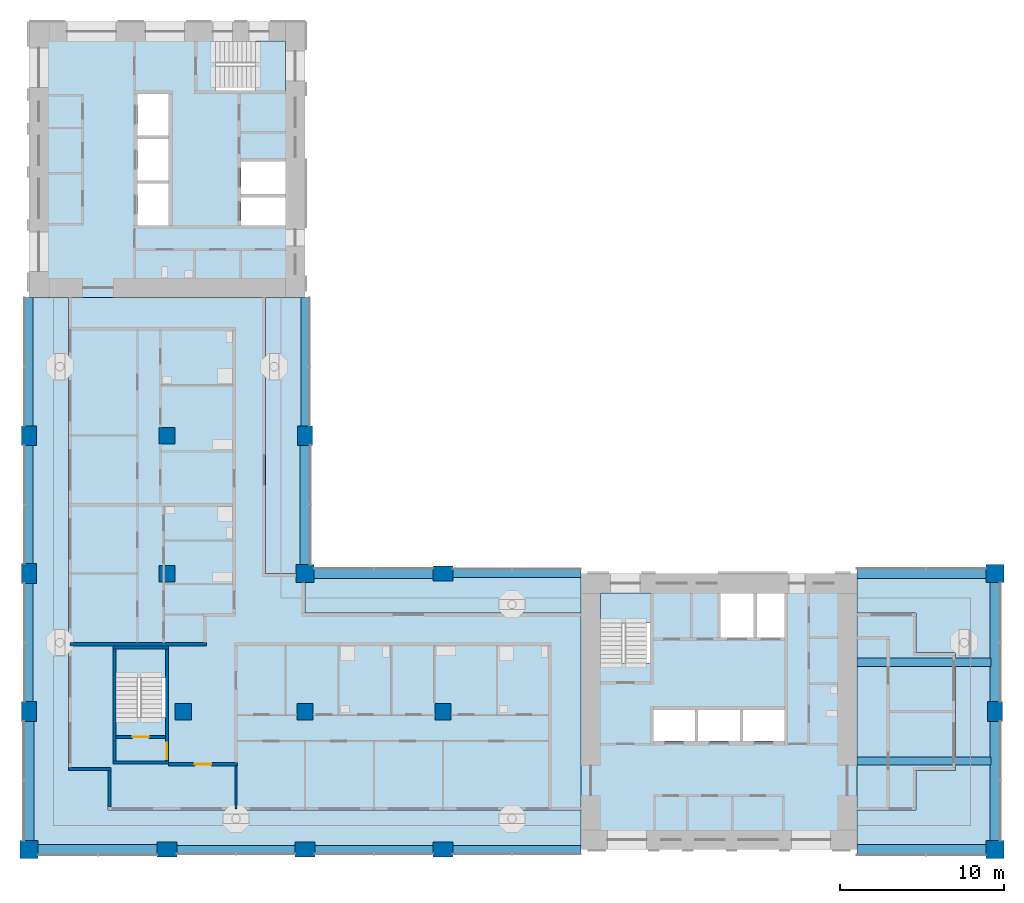
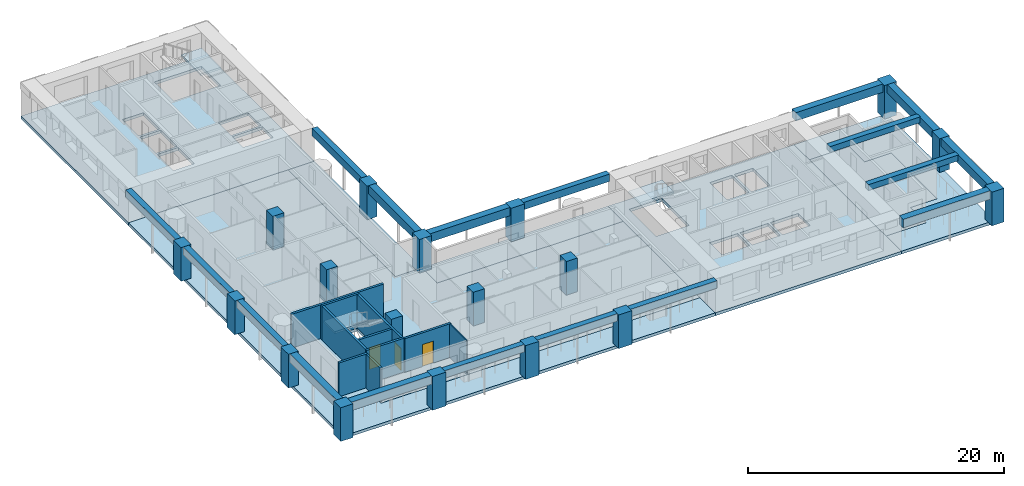
# One storey, part 1 of 13: 18 beams, 18 columns, 12 slabs, 10 walls, 3 doors, 3 openings, 3 elements without a shape of their own.
"""IFC4 building model written with IfcOpenShell, lengths in metres."""

from ifc_helpers import new_model, si_unit, direction, frame, frame_2d, origin, origin_2d, place, context, subcontext, project, spatial, polyline, rectangle, outline, extrude, material, layer, layer_set, material_profile, profile_set, type_object, element, fill, aggregate, save


model = new_model("IFC4")

# Units and contexts
model_context = context("Model", 3, precision=1e-05, world=origin(), true_north=direction((0.0, 1.0)))
body_context = subcontext(model_context, "Body", "Model", "MODEL_VIEW")
ifc_project = project(units=[si_unit("LENGTHUNIT", "METRE"), si_unit("AREAUNIT", "SQUARE_METRE"), si_unit("VOLUMEUNIT", "CUBIC_METRE"), si_unit("PLANEANGLEUNIT", "RADIAN"), si_unit("MASSUNIT", "GRAM", prefix="KILO")], contexts=[model_context])

# Site, building, storey
site_placement = place(None, origin())
site = spatial("IfcSite", under=ifc_project, at=site_placement, CompositionType="ELEMENT")
building_placement = place(site_placement, origin())
building = spatial("IfcBuilding", under=site, at=building_placement, Name="Vermilion Gate Residences", CompositionType="ELEMENT")
storey_placement = place(building_placement, frame((0.0, 0.0, 147.699951171875)))
storey = spatial("IfcBuildingStorey", under=building, at=storey_placement, Name="L37", CompositionType="ELEMENT", Elevation=147.699951171875)

# Columns
ifc_material_1 = material(Name="Concrete C60", Category="concrete")
ifc_material_profile_1 = material_profile(ifc_material_1, rectangle(XDim=1.0, YDim=1.0, at=origin_2d()), Name="RC-1000x1000")
ifc_profile_set_1 = profile_set([ifc_material_profile_1], Name="Concrete C60")
column_type_1 = type_object("IfcColumnType", Name="RC COLUMN 1000 X 1000 C60", PredefinedType="COLUMN", material=ifc_profile_set_1)
for number, where, z_axis, x_axis, name in (
    (1, (17.800048828125, 16.800048828125, 0.0), (0.0, 0.0, 1.0), (1.0, 0.0, 0.0), "Column 3-C L37"),
    (2, (16.800048828125, 25.199951171875, 0.0), (0.0, 0.0, 1.0), (1.0, 0.0, 0.0), "Column 3-D L37"),
    (3, (16.800048828125, 33.60009765625, 0.0), (0.0, 0.0, 1.0), (1.0, 0.0, 0.0), "Column 3-E L37"),
    (4, (25.199951171875, 16.800048828125, 0.0), (0.0, 0.0, 1.0), (1.0, 0.0, 0.0), "Column 4-C L37"),
    (5, (33.60009765625, 16.800048828125, 0.0), (0.0, 0.0, 1.0), (1.0, 0.0, 0.0), "Column 5-C L37"),
):
    element("IfcColumn", number, at=place(storey_placement, frame(where, z_axis=z_axis, x_axis=x_axis)), inside=storey, type_object=column_type_1, Name=name, PredefinedType="COLUMN", context=body_context, shape_type="SweptSolid", body=[
        extrude(rectangle(XDim=1.0, YDim=1.0, at=origin_2d()), origin(), (0.0, 0.0, 1.0), 3.219970703125),
    ])
ifc_material_2 = material(Name="Concrete C60", Category="concrete")
ifc_material_profile_2 = material_profile(ifc_material_2, rectangle(XDim=1.10009765625, YDim=1.10009765625, at=origin_2d()), Name="RC-1100x1100")
ifc_profile_set_2 = profile_set([ifc_material_profile_2], Name="Concrete C60")
column_type_2 = type_object("IfcColumnType", Name="RC COLUMN 1100 X 1100 C60", PredefinedType="COLUMN", material=ifc_profile_set_2)
for number, where, z_axis, x_axis, name in (
    (6, (8.39990234375, 8.39990234375, 0.0), (0.0, 0.0, 1.0), (1.0, 0.0, 0.0), "Column 2-B L37"),
    (7, (25.199951171875, 25.199951171875, 0.0), (0.0, 0.0, 1.0), (1.0, 0.0, 0.0), "Column 4-D L37"),
    (8, (67.199951171875, 8.39990234375, 0.0), (0.0, 0.0, 1.0), (1.0, 0.0, 0.0), "Column 9-B L37"),
    (9, (67.199951171875, 25.199951171875, 0.0), (0.0, 0.0, 1.0), (1.0, 0.0, 0.0), "Column 9-D L37"),
):
    element("IfcColumn", number, at=place(storey_placement, frame(where, z_axis=z_axis, x_axis=x_axis)), inside=storey, type_object=column_type_2, Name=name, PredefinedType="COLUMN", context=body_context, shape_type="SweptSolid", body=[
        extrude(rectangle(XDim=1.10009765625, YDim=1.10009765625, at=origin_2d()), origin(), (0.0, 0.0, 1.0), 3.219970703125),
    ])
ifc_material_3 = material(Name="Concrete C60", Category="concrete")
ifc_material_profile_3 = material_profile(ifc_material_3, rectangle(XDim=1.199951171875, YDim=0.89990234375, at=origin_2d()), Name="RC-1200x900")
ifc_profile_set_3 = profile_set([ifc_material_profile_3], Name="Concrete C60")
column_type_3 = type_object("IfcColumnType", Name="RC COLUMN 1200 X 900 C60", PredefinedType="COLUMN", material=ifc_profile_set_3)
for number, where, z_axis, x_axis, name in (
    (10, (8.39990234375, 16.800048828125, 0.0), (0.0, 0.0, 1.0), (0.0, 1.0, 0.0), "Column 2-C L37"),
    (11, (8.39990234375, 25.199951171875, 0.0), (0.0, 0.0, 1.0), (0.0, 1.0, 0.0), "Column 2-D L37"),
    (12, (8.39990234375, 33.60009765625, 0.0), (0.0, 0.0, 1.0), (0.0, 1.0, 0.0), "Column 2-E L37"),
    (13, (16.800048828125, 8.39990234375, 0.0), (0.0, 0.0, 1.0), (1.0, 0.0, 0.0), "Column 3-B L37"),
    (14, (25.199951171875, 8.39990234375, 0.0), (0.0, 0.0, 1.0), (1.0, 0.0, 0.0), "Column 4-B L37"),
    (15, (25.199951171875, 33.60009765625, 0.0), (0.0, 0.0, 1.0), (0.0, 1.0, 0.0), "Column 4-E L37"),
    (16, (33.60009765625, 8.39990234375, 0.0), (0.0, 0.0, 1.0), (1.0, 0.0, 0.0), "Column 5-B L37"),
    (17, (33.60009765625, 25.199951171875, 0.0), (0.0, 0.0, 1.0), (1.0, 0.0, 0.0), "Column 5-D L37"),
    (18, (67.199951171875, 16.800048828125, 0.0), (0.0, 0.0, 1.0), (0.0, 1.0, 0.0), "Column 9-C L37"),
):
    element("IfcColumn", number, at=place(storey_placement, frame(where, z_axis=z_axis, x_axis=x_axis)), inside=storey, type_object=column_type_3, Name=name, PredefinedType="COLUMN", context=body_context, shape_type="SweptSolid", body=[
        extrude(rectangle(XDim=1.199951171875, YDim=0.89990234375, at=origin_2d()), origin(), (0.0, 0.0, 1.0), 3.219970703125),
    ])

# Beams
ifc_material_4 = material(Name="Concrete C60 red-oxide pigmented", Category="concrete")
ifc_material_profile_4 = material_profile(ifc_material_4, rectangle(XDim=0.60009765625, YDim=0.800048828125, at=origin_2d()), Name="RC-600x800")
ifc_profile_set_4 = profile_set([ifc_material_profile_4], Name="Concrete C60 red-oxide pigmented")
beam_type_1 = type_object("IfcBeamType", Name="RC CORNER EDGE BEAM 600 X 800 C60", PredefinedType="BEAM", material=ifc_profile_set_4)
for number, where, z_axis, x_axis, name in (
    (19, (8.949951171875, 8.39990234375, 2.820068359375), (1.0, 0.0, 0.0), (0.0, 1.0, 0.0), "Corner edge beam L37 1"),
    (20, (8.39990234375, 8.949951171875, 2.820068359375), (0.0, 1.0, 0.0), (-1.0, 0.0, 0.0), "Corner edge beam L37 2"),
    (21, (25.199951171875, 25.75, 2.820068359375), (0.0, 1.0, 0.0), (-1.0, 0.0, 0.0), "Corner edge beam L37 7"),
    (22, (25.75, 25.199951171875, 2.820068359375), (1.0, 0.0, 0.0), (0.0, 1.0, 0.0), "Corner edge beam L37 10"),
):
    element("IfcBeam", number, at=place(storey_placement, frame(where, z_axis=z_axis, x_axis=x_axis)), inside=storey, type_object=beam_type_1, Name=name, PredefinedType="BEAM", context=body_context, shape_type="SweptSolid", body=[
        extrude(rectangle(XDim=0.60009765625, YDim=0.800048828125, at=origin_2d()), origin(), (0.0, 0.0, 1.0), 7.25),
    ])
beam_1_placement = place(storey_placement, frame((58.800048828125, 8.39990234375, 2.820068359375), z_axis=(1.0, 0.0, 0.0), x_axis=(0.0, 1.0, 0.0)))
element("IfcBeam", 23, at=beam_1_placement, inside=storey, type_object=beam_type_1, Name="Corner edge beam L37 13", PredefinedType="BEAM", context=body_context, shape_type="SweptSolid", body=[
    extrude(rectangle(XDim=0.60009765625, YDim=0.800048828125, at=origin_2d()), origin(), (0.0, 0.0, 1.0), 7.849853515625),
])
for number, where, z_axis, x_axis, name in (
    (24, (67.199951171875, 8.949951171875, 2.820068359375), (0.0, 1.0, 0.0), (-1.0, 0.0, 0.0), "Corner edge beam L37 14"),
    (25, (67.199951171875, 17.39990234375, 2.820068359375), (0.0, 1.0, 0.0), (-1.0, 0.0, 0.0), "Corner edge beam L37 15"),
):
    element("IfcBeam", number, at=place(storey_placement, frame(where, z_axis=z_axis, x_axis=x_axis)), inside=storey, type_object=beam_type_1, Name=name, PredefinedType="BEAM", context=body_context, shape_type="SweptSolid", body=[
        extrude(rectangle(XDim=0.60009765625, YDim=0.800048828125, at=origin_2d()), origin(), (0.0, 0.0, 1.0), 7.25),
    ])
beam_2_placement = place(storey_placement, frame((58.800048828125, 25.199951171875, 2.820068359375), z_axis=(1.0, 0.0, 0.0), x_axis=(0.0, 1.0, 0.0)))
element("IfcBeam", 26, at=beam_2_placement, inside=storey, type_object=beam_type_1, Name="Corner edge beam L37 16", PredefinedType="BEAM", context=body_context, shape_type="SweptSolid", body=[
    extrude(rectangle(XDim=0.60009765625, YDim=0.800048828125, at=origin_2d()), origin(), (0.0, 0.0, 1.0), 7.849853515625),
])
ifc_material_5 = material(Name="Concrete C60 red-oxide pigmented", Category="concrete")
ifc_material_profile_5 = material_profile(ifc_material_5, rectangle(XDim=0.5, YDim=0.699951171875, at=origin_2d()), Name="RC-500x700")
ifc_profile_set_5 = profile_set([ifc_material_profile_5], Name="Concrete C60 red-oxide pigmented")
beam_type_2 = type_object("IfcBeamType", Name="RC EDGE BEAM 500 X 700 C60", PredefinedType="BEAM", material=ifc_profile_set_5)
beam_3_placement = place(storey_placement, frame((8.39990234375, 17.39990234375, 2.8701171875), z_axis=(0.0, 1.0, 0.0), x_axis=(-1.0, 0.0, 0.0)))
element("IfcBeam", 27, at=beam_3_placement, inside=storey, type_object=beam_type_2, Name="Edge beam L37 3", PredefinedType="BEAM", context=body_context, shape_type="SweptSolid", body=[
    extrude(rectangle(XDim=0.5, YDim=0.699951171875, at=origin_2d()), origin(), (0.0, 0.0, 1.0), 7.2001953125),
])
beam_4_placement = place(storey_placement, frame((8.39990234375, 25.800048828125, 2.8701171875), z_axis=(0.0, 1.0, 0.0), x_axis=(-1.0, 0.0, 0.0)))
element("IfcBeam", 28, at=beam_4_placement, inside=storey, type_object=beam_type_2, Name="Edge beam L37 4", PredefinedType="BEAM", context=body_context, shape_type="SweptSolid", body=[
    extrude(rectangle(XDim=0.5, YDim=0.699951171875, at=origin_2d()), origin(), (0.0, 0.0, 1.0), 7.199951171875),
])
beam_5_placement = place(storey_placement, frame((8.39990234375, 34.199951171875, 2.8701171875), z_axis=(0.0, 1.0, 0.0), x_axis=(-1.0, 0.0, 0.0)))
element("IfcBeam", 29, at=beam_5_placement, inside=storey, type_object=beam_type_2, Name="Edge beam L37 5", PredefinedType="BEAM", context=body_context, shape_type="SweptSolid", body=[
    extrude(rectangle(XDim=0.5, YDim=0.699951171875, at=origin_2d()), origin(), (0.0, 0.0, 1.0), 7.800048828125),
])
beam_6_placement = place(storey_placement, frame((17.39990234375, 8.39990234375, 2.8701171875), z_axis=(1.0, 0.0, 0.0), x_axis=(0.0, 1.0, 0.0)))
element("IfcBeam", 30, at=beam_6_placement, inside=storey, type_object=beam_type_2, Name="Edge beam L37 6", PredefinedType="BEAM", context=body_context, shape_type="SweptSolid", body=[
    extrude(rectangle(XDim=0.5, YDim=0.699951171875, at=origin_2d()), origin(), (0.0, 0.0, 1.0), 7.2001953125),
])
beam_7_placement = place(storey_placement, frame((25.199951171875, 34.199951171875, 2.8701171875), z_axis=(0.0, 1.0, 0.0), x_axis=(-1.0, 0.0, 0.0)))
element("IfcBeam", 31, at=beam_7_placement, inside=storey, type_object=beam_type_2, Name="Edge beam L37 8", PredefinedType="BEAM", context=body_context, shape_type="SweptSolid", body=[
    extrude(rectangle(XDim=0.5, YDim=0.699951171875, at=origin_2d()), origin(), (0.0, 0.0, 1.0), 7.800048828125),
])
beam_8_placement = place(storey_placement, frame((25.800048828125, 8.39990234375, 2.8701171875), z_axis=(1.0, 0.0, 0.0), x_axis=(0.0, 1.0, 0.0)))
element("IfcBeam", 32, at=beam_8_placement, inside=storey, type_object=beam_type_2, Name="Edge beam L37 9", PredefinedType="BEAM", context=body_context, shape_type="SweptSolid", body=[
    extrude(rectangle(XDim=0.5, YDim=0.699951171875, at=origin_2d()), origin(), (0.0, 0.0, 1.0), 7.199951171875),
])
for number, where, z_axis, x_axis, name in (
    (33, (34.199951171875, 8.39990234375, 2.8701171875), (1.0, 0.0, 0.0), (0.0, 1.0, 0.0), "Edge beam L37 11"),
    (34, (34.199951171875, 25.199951171875, 2.8701171875), (1.0, 0.0, 0.0), (0.0, 1.0, 0.0), "Edge beam L37 12"),
):
    element("IfcBeam", number, at=place(storey_placement, frame(where, z_axis=z_axis, x_axis=x_axis)), inside=storey, type_object=beam_type_2, Name=name, PredefinedType="BEAM", context=body_context, shape_type="SweptSolid", body=[
        extrude(rectangle(XDim=0.5, YDim=0.699951171875, at=origin_2d()), origin(), (0.0, 0.0, 1.0), 7.800048828125),
    ])
ifc_material_6 = material(Name="Concrete C60", Category="concrete")
ifc_material_profile_6 = material_profile(ifc_material_6, rectangle(XDim=0.5, YDim=0.550048828125, at=origin_2d()), Name="RC-500x550")
ifc_profile_set_6 = profile_set([ifc_material_profile_6], Name="Concrete C60")
beam_type_3 = type_object("IfcBeamType", Name="RC WING BEAM 500 X 550 C60", PredefinedType="BEAM", material=ifc_profile_set_6)
for number, where, z_axis, x_axis, name in (
    (35, (58.800048828125, 13.800048828125, 2.945068359375), (1.0, 0.0, 0.0), (0.0, 1.0, 0.0), "Wing-end beam L37 1"),
    (36, (58.800048828125, 19.800048828125, 2.945068359375), (1.0, 0.0, 0.0), (0.0, 1.0, 0.0), "Wing-end beam L37 2"),
):
    element("IfcBeam", number, at=place(storey_placement, frame(where, z_axis=z_axis, x_axis=x_axis)), inside=storey, type_object=beam_type_3, Name=name, PredefinedType="BEAM", context=body_context, shape_type="SweptSolid", body=[
        extrude(rectangle(XDim=0.5, YDim=0.550048828125, at=origin_2d()), origin(), (0.0, 0.0, 1.0), 8.14990234375),
    ])

# Slabs
ifc_material_7 = material(Name="Concrete C50", Category="concrete")
ifc_layer_1 = layer(ifc_material_7, 0.280029296875)
ifc_layer_set_1 = layer_set([ifc_layer_1], Name="RC CORE FLOOR SLAB 280 C50")
slab_type_1 = type_object("IfcSlabType", Name="RC CORE FLOOR SLAB 280 C50", PredefinedType="FLOOR", material=ifc_layer_set_1)
slab_1_placement = place(storey_placement, frame((0.0, 0.0, -0.280029296875)))
element("IfcSlab", 37, at=slab_1_placement, inside=storey, type_object=slab_type_1, Name="Core floor slab A37", PredefinedType="FLOOR", context=body_context, shape_type="SweptSolid", body=[
    extrude(outline(polyline([(42.0, 8.39990234375), (58.800048828125, 8.39990234375), (58.800048828125, 25.199951171875), (42.0, 25.199951171875), (42.0, 8.39990234375)]), holes=[polyline([(46.39990234375, 15.0), (46.39990234375, 16.89990234375), (48.933349609375, 16.89990234375), (48.933349609375, 15.0), (46.39990234375, 15.0)]), polyline([(49.13330078125, 16.89990234375), (51.666748046875, 16.89990234375), (51.666748046875, 15.0), (49.13330078125, 15.0), (49.13330078125, 16.89990234375)]), polyline([(51.86669921875, 16.89990234375), (54.39990234375, 16.89990234375), (54.39990234375, 15.0), (51.86669921875, 15.0), (51.86669921875, 16.89990234375)]), polyline([(43.199951171875, 19.75), (43.199951171875, 24.0), (46.199951171875, 24.0), (46.199951171875, 19.75), (43.199951171875, 19.75)]), polyline([(50.5, 24.0), (52.5, 24.0), (52.5, 21.300048828125), (50.5, 21.300048828125), (50.5, 24.0)]), polyline([(52.699951171875, 24.0), (54.39990234375, 24.0), (54.39990234375, 21.300048828125), (52.699951171875, 21.300048828125), (52.699951171875, 24.0)])]), origin(), (0.0, 0.0, 1.0), 0.280029296875),
])
slab_2_placement = place(storey_placement, frame((0.0, 0.0, -0.280029296875)))
element("IfcSlab", 38, at=slab_2_placement, inside=storey, type_object=slab_type_1, Name="Core floor slab B37", PredefinedType="FLOOR", context=body_context, shape_type="SweptSolid", body=[
    extrude(outline(polyline([(8.39990234375, 42.0), (25.199951171875, 42.0), (25.199951171875, 58.800048828125), (8.39990234375, 58.800048828125), (8.39990234375, 42.0)]), holes=[polyline([(21.300048828125, 46.39990234375), (21.300048828125, 48.10009765625), (24.0, 48.10009765625), (24.0, 46.39990234375), (21.300048828125, 46.39990234375)]), polyline([(15.0, 48.933349609375), (16.89990234375, 48.933349609375), (16.89990234375, 46.39990234375), (15.0, 46.39990234375), (15.0, 48.933349609375)]), polyline([(21.300048828125, 50.300048828125), (24.0, 50.300048828125), (24.0, 48.300048828125), (21.300048828125, 48.300048828125), (21.300048828125, 50.300048828125)]), polyline([(15.0, 49.13330078125), (15.0, 51.666748046875), (16.89990234375, 51.666748046875), (16.89990234375, 49.13330078125), (15.0, 49.13330078125)]), polyline([(15.0, 54.39990234375), (16.89990234375, 54.39990234375), (16.89990234375, 51.86669921875), (15.0, 51.86669921875), (15.0, 54.39990234375)]), polyline([(19.75, 57.60009765625), (24.0, 57.60009765625), (24.0, 54.60009765625), (19.75, 54.60009765625), (19.75, 57.60009765625)])]), origin(), (0.0, 0.0, 1.0), 0.280029296875),
])
slab_3_placement = place(storey_placement, frame((0.0, 0.0, -0.280029296875)))
element("IfcSlab", 39, at=slab_3_placement, inside=storey, type_object=slab_type_1, Name="Apex stair floor slab 37", PredefinedType="FLOOR", context=body_context, shape_type="SweptSolid", body=[
    extrude(outline(polyline([(13.5, 13.60009765625), (16.89990234375, 13.60009765625), (16.89990234375, 20.800048828125), (13.5, 20.800048828125), (13.5, 13.60009765625)]), holes=[polyline([(16.699951171875, 20.60009765625), (16.699951171875, 16.449951171875), (13.699951171875, 16.449951171875), (13.699951171875, 20.60009765625), (16.699951171875, 20.60009765625)])]), origin(), (0.0, 0.0, 1.0), 0.280029296875),
])
ifc_material_8 = material(Name="Concrete C50", Category="concrete")
ifc_layer_2 = layer(ifc_material_8, 0.280029296875)
ifc_layer_set_2 = layer_set([ifc_layer_2], Name="RC FLAT PLATE 280 C50")
slab_type_2 = type_object("IfcSlabType", Name="RC FLAT PLATE 280 C50", PredefinedType="FLOOR", material=ifc_layer_set_2)
slab_4_placement = place(storey_placement, frame((0.0, 0.0, -0.280029296875)))
element("IfcSlab", 40, at=slab_4_placement, inside=storey, type_object=slab_type_2, Name="Floor slab L37", PredefinedType="FLOOR", context=body_context, shape_type="SweptSolid", body=[
    extrude(outline(polyline([(22.800048828125, 25.199951171875), (22.800048828125, 42.0), (10.800048828125, 42.0), (10.800048828125, 13.199951171875), (13.199951171875, 13.199951171875), (13.199951171875, 10.800048828125), (42.0, 10.800048828125), (42.0, 22.800048828125), (25.199951171875, 22.800048828125), (25.199951171875, 25.199951171875), (22.800048828125, 25.199951171875)]), holes=[polyline([(13.5, 13.60009765625), (13.5, 20.800048828125), (16.89990234375, 20.800048828125), (16.89990234375, 13.60009765625), (13.5, 13.60009765625)])]), origin(), (0.0, 0.0, 1.0), 0.280029296875),
])
slab_5_placement = place(storey_placement, frame((0.0, 0.0, -0.280029296875)))
element("IfcSlab", 41, at=slab_5_placement, inside=storey, type_object=slab_type_2, Name="Floor slab L37", PredefinedType="FLOOR", context=body_context, shape_type="SweptSolid", body=[
    extrude(outline(polyline([(58.800048828125, 22.800048828125), (58.800048828125, 10.800048828125), (62.39990234375, 10.800048828125), (62.39990234375, 13.199951171875), (64.800048828125, 13.199951171875), (64.800048828125, 20.39990234375), (62.39990234375, 20.39990234375), (62.39990234375, 22.800048828125), (58.800048828125, 22.800048828125)])), origin(), (0.0, 0.0, 1.0), 0.280029296875),
])
ifc_material_9 = material(Name="Concrete C50 red-oxide pigmented", Category="concrete")
ifc_layer_3 = layer(ifc_material_9, 0.280029296875)
ifc_layer_set_3 = layer_set([ifc_layer_3], Name="RC LOGGIA SLAB 280 C50")
slab_type_3 = type_object("IfcSlabType", Name="RC LOGGIA SLAB 280 C50", PredefinedType="FLOOR", material=ifc_layer_set_3)
slab_6_placement = place(storey_placement, frame((0.0, 0.0, -0.280029296875)))
element("IfcSlab", 42, at=slab_6_placement, inside=storey, type_object=slab_type_3, Name="Loggia slab L37", PredefinedType="FLOOR", context=body_context, shape_type="SweptSolid", body=[
    extrude(outline(polyline([(8.39990234375, 42.0), (8.39990234375, 8.39990234375), (42.0, 8.39990234375), (42.0, 10.800048828125), (13.199951171875, 10.800048828125), (13.199951171875, 13.199951171875), (10.800048828125, 13.199951171875), (10.800048828125, 42.0), (8.39990234375, 42.0)])), origin(), (0.0, 0.0, 1.0), 0.280029296875),
])
slab_7_placement = place(storey_placement, frame((0.0, 0.0, -0.280029296875)))
element("IfcSlab", 43, at=slab_7_placement, inside=storey, type_object=slab_type_3, Name="Loggia slab L37", PredefinedType="FLOOR", context=body_context, shape_type="SweptSolid", body=[
    extrude(outline(polyline([(64.800048828125, 13.199951171875), (62.39990234375, 13.199951171875), (62.39990234375, 10.800048828125), (58.800048828125, 10.800048828125), (58.800048828125, 8.39990234375), (67.199951171875, 8.39990234375), (67.199951171875, 25.199951171875), (58.800048828125, 25.199951171875), (58.800048828125, 22.800048828125), (62.39990234375, 22.800048828125), (62.39990234375, 20.39990234375), (64.800048828125, 20.39990234375), (64.800048828125, 13.199951171875)])), origin(), (0.0, 0.0, 1.0), 0.280029296875),
])
slab_8_placement = place(storey_placement, frame((0.0, 0.0, -0.280029296875)))
element("IfcSlab", 44, at=slab_8_placement, inside=storey, type_object=slab_type_3, Name="Loggia slab L37", PredefinedType="FLOOR", context=body_context, shape_type="SweptSolid", body=[
    extrude(outline(polyline([(42.0, 25.199951171875), (25.199951171875, 25.199951171875), (25.199951171875, 22.800048828125), (42.0, 22.800048828125), (42.0, 25.199951171875)])), origin(), (0.0, 0.0, 1.0), 0.280029296875),
])
slab_9_placement = place(storey_placement, frame((0.0, 0.0, -0.280029296875)))
element("IfcSlab", 45, at=slab_9_placement, inside=storey, type_object=slab_type_3, Name="Loggia slab L37", PredefinedType="FLOOR", context=body_context, shape_type="SweptSolid", body=[
    extrude(outline(polyline([(22.800048828125, 42.0), (22.800048828125, 25.199951171875), (25.199951171875, 25.199951171875), (25.199951171875, 42.0), (22.800048828125, 42.0)])), origin(), (0.0, 0.0, 1.0), 0.280029296875),
])

# Stair, slab
ifc_material_10 = material(Name="Concrete C50", Category="concrete")
stair_type = type_object("IfcStairType", Name="SPECIAL ESCAPE STAIR 1300", PredefinedType="HALF_TURN_STAIR", material=ifc_material_10)
stair_1_placement = place(storey_placement, origin())
stair_1 = element("IfcStair", 46, at=stair_1_placement, inside=storey, type_object=stair_type, Name="Special escape stair STA1-37", PredefinedType="HALF_TURN_STAIR")
ifc_material_11 = material(Name="Concrete C50", Category="concrete")
ifc_layer_4 = layer(ifc_material_11, 0.199951171875)
ifc_layer_set_4 = layer_set([ifc_layer_4], Name="STAIR LANDING 200 C50")
slab_type_4 = type_object("IfcSlabType", Name="STAIR LANDING 200 C50", PredefinedType="LANDING", material=ifc_layer_set_4)
slab_10_placement = place(storey_placement, frame((0.0, 0.0, 1.550048828125)))
slab_10 = element("IfcSlab", 47, at=slab_10_placement, type_object=slab_type_4, Name="STA1-37 landing 1", PredefinedType="LANDING", context=body_context, shape_type="SweptSolid", body=[
    extrude(outline(polyline([(46.219970703125, 22.179931640625), (46.219970703125, 24.02001953125), (43.179931640625, 24.02001953125), (43.179931640625, 22.179931640625), (46.219970703125, 22.179931640625)])), origin(), (0.0, 0.0, 1.0), 0.199951171875),
])
aggregate(stair_1, [slab_10])

stair_2_placement = place(storey_placement, origin())
stair_2 = element("IfcStair", 48, at=stair_2_placement, inside=storey, type_object=stair_type, Name="Special escape stair STB1-37", PredefinedType="HALF_TURN_STAIR")
slab_11_placement = place(storey_placement, frame((0.0, 0.0, 1.550048828125)))
slab_11 = element("IfcSlab", 49, at=slab_11_placement, type_object=slab_type_4, Name="STB1-37 landing 1", PredefinedType="LANDING", context=body_context, shape_type="SweptSolid", body=[
    extrude(outline(polyline([(24.02001953125, 54.580078125), (24.02001953125, 57.6201171875), (22.179931640625, 57.6201171875), (22.179931640625, 54.580078125), (24.02001953125, 54.580078125)])), origin(), (0.0, 0.0, 1.0), 0.199951171875),
])
aggregate(stair_2, [slab_11])

stair_3_placement = place(storey_placement, origin())
stair_3 = element("IfcStair", 50, at=stair_3_placement, inside=storey, type_object=stair_type, Name="Special escape stair STC1-37", PredefinedType="HALF_TURN_STAIR")
slab_12_placement = place(storey_placement, frame((0.0, 0.0, 1.550048828125)))
slab_12 = element("IfcSlab", 51, at=slab_12_placement, type_object=slab_type_4, Name="STC1-37 landing 1", PredefinedType="LANDING", context=body_context, shape_type="SweptSolid", body=[
    extrude(outline(polyline([(16.719970703125, 18.8798828125), (16.719970703125, 20.6201171875), (13.679931640625, 20.6201171875), (13.679931640625, 18.8798828125), (16.719970703125, 18.8798828125)])), origin(), (0.0, 0.0, 1.0), 0.199951171875),
])
aggregate(stair_3, [slab_12])

# Walls
ifc_material_12 = material(Name="Insulated steel stud wall with terracotta rainscreen", Category="masonry")
ifc_layer_5 = layer(ifc_material_12, 0.199951171875)
ifc_layer_set_5 = layer_set([ifc_layer_5], Name="EXTERNAL WALL 200 TERRACOTTA RAINSCREEN")
wall_type_1 = type_object("IfcWallType", Name="EXTERNAL WALL 200 TERRACOTTA RAINSCREEN", PredefinedType="SOLIDWALL", material=ifc_layer_set_5)
wall_1_placement = place(storey_placement, frame((10.800048828125, 13.300048828125, 0.0), z_axis=(0.0, 0.0, 1.0), x_axis=(1.0, 0.0, 0.0)))
element("IfcWall", 52, at=wall_1_placement, inside=storey, type_object=wall_type_1, Name="External wall", PredefinedType="SOLIDWALL", context=body_context, shape_type="SweptSolid", body=[
    extrude(rectangle(XDim=2.599853515625, YDim=0.199951171875, at=frame_2d((1.2998046875, 0.0))), origin(), (0.0, 0.0, 1.0), 3.219970703125),
])
wall_2_placement = place(storey_placement, frame((13.300048828125, 13.199951171875, 0.0), z_axis=(0.0, 0.0, 1.0), x_axis=(0.0, -1.0, 0.0)))
element("IfcWall", 53, at=wall_2_placement, inside=storey, type_object=wall_type_1, Name="External wall", PredefinedType="SOLIDWALL", context=body_context, shape_type="SweptSolid", body=[
    extrude(rectangle(XDim=2.199951171875, YDim=0.199951171875, at=frame_2d((1.10009765625, 0.0))), origin(), (0.0, 0.0, 1.0), 3.219970703125),
])
ifc_material_13 = material(Name="Plasterboard on steel studs", Category="steel")
ifc_layer_6 = layer(ifc_material_13, 0.10009765625)
ifc_layer_set_6 = layer_set([ifc_layer_6], Name="PARTITION 100")
wall_type_2 = type_object("IfcWallType", Name="PARTITION 100", PredefinedType="PARTITIONING", material=ifc_layer_set_6)
wall_3_placement = place(storey_placement, frame((21.0, 10.89990234375, 0.0), z_axis=(0.0, 0.0, 1.0), x_axis=(0.0, 1.0, 0.0)))
element("IfcWall", 54, at=wall_3_placement, inside=storey, type_object=wall_type_2, Name="Partition", PredefinedType="PARTITIONING", context=body_context, shape_type="SweptSolid", body=[
    extrude(rectangle(XDim=2.60009765625, YDim=0.10009765625, at=frame_2d((1.300048828125, 0.0))), origin(), (0.0, 0.0, 1.0), 3.219970703125),
])

# Wall, opening, door
ifc_material_14 = material(Name="Fire-rated plasterboard on steel studs", Category="steel")
ifc_layer_7 = layer(ifc_material_14, 0.199951171875)
ifc_layer_set_7 = layer_set([ifc_layer_7], Name="PARTY WALL 200 EI 120")
wall_type_3 = type_object("IfcWallType", Name="PARTY WALL 200 EI 120", PredefinedType="PARTITIONING", material=ifc_layer_set_7)
wall_4_placement = place(storey_placement, frame((16.89990234375, 13.60009765625, 0.0), z_axis=(0.0, 0.0, 1.0), x_axis=(1.0, 0.0, 0.0)))
wall_4 = element("IfcWall", 55, at=wall_4_placement, inside=storey, type_object=wall_type_3, Name="Party and corridor wall", PredefinedType="PARTITIONING", context=body_context, shape_type="SweptSolid", body=[
    extrude(rectangle(XDim=4.2001953125, YDim=0.199951171875, at=frame_2d((2.10009765625, 0.0))), origin(), (0.0, 0.0, 1.0), 3.219970703125),
])
opening_1_placement = place(wall_4_placement, frame((1.60009765625, 0.0, 0.0)))
opening_1 = element("IfcOpeningElement", 56, at=opening_1_placement, cuts=wall_4, Name="Opening DA37001", PredefinedType="OPENING", context=body_context, shape_type="SweptSolid", body=[
    extrude(rectangle(XDim=1.0, YDim=2.10009765625, at=frame_2d((0.5, 1.050048828125))), frame((0.0, 0.10986328125, 0.0), z_axis=(0.0, -1.0, 0.0), x_axis=(1.0, 0.0, 0.0)), (0.0, 0.0, 1.0), 0.219970703125),
])
ifc_material_15 = material(Name="Steel", Category="steel")
door_type_1 = type_object("IfcDoorType", Name="ENTRANCE DOOR 1000 X 2100 FD30", OperationType="SINGLE_SWING_LEFT", PredefinedType="DOOR", material=ifc_material_15)
door_1_placement = place(opening_1_placement, frame((1.0, 0.0, 0.0), z_axis=(0.0, 0.0, 1.0), x_axis=(-1.0, 0.0, 0.0)))
door_1 = element("IfcDoor", 57, at=door_1_placement, inside=storey, type_object=door_type_1, Name="Entrance door", OperationType="SINGLE_SWING_LEFT", OverallHeight=2.10009765625, OverallWidth=1.0, PredefinedType="DOOR", context=body_context, shape_type="SweptSolid", body=[
    extrude(rectangle(XDim=1.0, YDim=2.10009765625, at=frame_2d((0.5, 1.050048828125))), frame((0.0, 0.02490234375, 0.0), z_axis=(0.0, -1.0, 0.0), x_axis=(1.0, 0.0, 0.0)), (0.0, 0.0, 1.0), 0.050048828125),
])
fill(opening_1, door_1)

# Walls
wall_5_placement = place(storey_placement, frame((10.89990234375, 20.89990234375, 0.0), z_axis=(0.0, 0.0, 1.0), x_axis=(1.0, 0.0, 0.0)))
element("IfcWall", 58, at=wall_5_placement, inside=storey, type_object=wall_type_3, Name="Party and corridor wall", PredefinedType="PARTITIONING", context=body_context, shape_type="SweptSolid", body=[
    extrude(rectangle(XDim=8.300048828125, YDim=0.199951171875, at=frame_2d((4.14990234375, 0.0))), origin(), (0.0, 0.0, 1.0), 3.219970703125),
])
ifc_material_16 = material(Name="Concrete C60", Category="concrete")
ifc_layer_8 = layer(ifc_material_16, 0.199951171875)
ifc_layer_set_8 = layer_set([ifc_layer_8], Name="RC CORE INTERNAL WALL 200 C60")
wall_type_4 = type_object("IfcWallType", Name="RC CORE INTERNAL WALL 200 C60", PredefinedType="SHEAR", material=ifc_layer_set_8)
wall_6_placement = place(storey_placement, frame((13.60009765625, 13.800048828125, 0.0), z_axis=(0.0, 0.0, 1.0), x_axis=(0.0, 1.0, 0.0)))
element("IfcWall", 59, at=wall_6_placement, inside=storey, type_object=wall_type_4, Name="Core internal wall C37-W", PredefinedType="SHEAR", context=body_context, shape_type="SweptSolid", body=[
    extrude(rectangle(XDim=6.800048828125, YDim=0.199951171875, at=frame_2d((3.39990234375, 0.0))), origin(), (0.0, 0.0, 1.0), 3.219970703125),
])

# Wall, opening, door
wall_7_placement = place(storey_placement, frame((16.800048828125, 13.800048828125, 0.0), z_axis=(0.0, 0.0, 1.0), x_axis=(0.0, 1.0, 0.0)))
wall_7 = element("IfcWall", 60, at=wall_7_placement, inside=storey, type_object=wall_type_4, Name="Core internal wall C37-E", PredefinedType="SHEAR", context=body_context, shape_type="SweptSolid", body=[
    extrude(rectangle(XDim=6.800048828125, YDim=0.199951171875, at=frame_2d((3.39990234375, 0.0))), origin(), (0.0, 0.0, 1.0), 3.219970703125),
])
opening_2_placement = place(wall_7_placement, frame((0.10009765625, 0.0, 0.0)))
opening_2 = element("IfcOpeningElement", 61, at=opening_2_placement, cuts=wall_7, Name="Opening DK37201", PredefinedType="OPENING", context=body_context, shape_type="SweptSolid", body=[
    extrude(rectangle(XDim=1.0, YDim=2.10009765625, at=frame_2d((0.5, 1.050048828125))), frame((0.0, 0.10986328125, 0.0), z_axis=(0.0, -1.0, 0.0), x_axis=(1.0, 0.0, 0.0)), (0.0, 0.0, 1.0), 0.219970703125),
])
ifc_material_17 = material(Name="Steel", Category="steel")
door_type_2 = type_object("IfcDoorType", Name="FIRE DOOR FD60 1000 X 2100", OperationType="SINGLE_SWING_LEFT", PredefinedType="DOOR", material=ifc_material_17)
door_2_placement = place(opening_2_placement, frame((1.0, 0.0, 0.0), z_axis=(0.0, 0.0, 1.0), x_axis=(-1.0, 0.0, 0.0)))
door_2 = element("IfcDoor", 62, at=door_2_placement, inside=storey, type_object=door_type_2, Name="Stair vestibule door C37", OperationType="SINGLE_SWING_RIGHT", OverallHeight=2.10009765625, OverallWidth=1.0, PredefinedType="DOOR", context=body_context, shape_type="SweptSolid", body=[
    extrude(rectangle(XDim=1.0, YDim=2.10009765625, at=frame_2d((0.5, 1.050048828125))), frame((0.0, 0.02490234375, 0.0), z_axis=(0.0, -1.0, 0.0), x_axis=(1.0, 0.0, 0.0)), (0.0, 0.0, 1.0), 0.050048828125),
])
fill(opening_2, door_2)

# Walls
for number, where, z_axis, x_axis, name in (
    (63, (13.5, 13.699951171875, 0.0), (0.0, 0.0, 1.0), (1.0, 0.0, 0.0), "Core internal wall C37-S"),
    (64, (13.5, 20.699951171875, 0.0), (0.0, 0.0, 1.0), (1.0, 0.0, 0.0), "Core internal wall C37-N"),
):
    element("IfcWall", number, at=place(storey_placement, frame(where, z_axis=z_axis, x_axis=x_axis)), inside=storey, type_object=wall_type_4, Name=name, PredefinedType="SHEAR", context=body_context, shape_type="SweptSolid", body=[
        extrude(rectangle(XDim=3.39990234375, YDim=0.199951171875, at=frame_2d((1.699951171875, 0.0))), origin(), (0.0, 0.0, 1.0), 3.219970703125),
    ])

# Wall, opening, door
wall_8_placement = place(storey_placement, frame((13.699951171875, 15.25, 0.0), z_axis=(0.0, 0.0, 1.0), x_axis=(1.0, 0.0, 0.0)))
wall_8 = element("IfcWall", 65, at=wall_8_placement, inside=storey, type_object=wall_type_4, Name="Core internal wall C37-P", PredefinedType="SHEAR", context=body_context, shape_type="SweptSolid", body=[
    extrude(rectangle(XDim=3.0, YDim=0.199951171875, at=frame_2d((1.5, 0.0))), origin(), (0.0, 0.0, 1.0), 3.219970703125),
])
opening_3_placement = place(wall_8_placement, frame((1.0, 0.0, 0.0)))
opening_3 = element("IfcOpeningElement", 66, at=opening_3_placement, cuts=wall_8, Name="Opening DK37202", PredefinedType="OPENING", context=body_context, shape_type="SweptSolid", body=[
    extrude(rectangle(XDim=1.0, YDim=2.10009765625, at=frame_2d((0.5, 1.050048828125))), frame((0.0, 0.10986328125, 0.0), z_axis=(0.0, -1.0, 0.0), x_axis=(1.0, 0.0, 0.0)), (0.0, 0.0, 1.0), 0.219970703125),
])
door_3_placement = place(opening_3_placement, origin())
door_3 = element("IfcDoor", 67, at=door_3_placement, inside=storey, type_object=door_type_2, Name="Stair door C37", OperationType="SINGLE_SWING_LEFT", OverallHeight=2.10009765625, OverallWidth=1.0, PredefinedType="DOOR", context=body_context, shape_type="SweptSolid", body=[
    extrude(rectangle(XDim=1.0, YDim=2.10009765625, at=frame_2d((0.5, 1.050048828125))), frame((0.0, 0.02490234375, 0.0), z_axis=(0.0, -1.0, 0.0), x_axis=(1.0, 0.0, 0.0)), (0.0, 0.0, 1.0), 0.050048828125),
])
fill(opening_3, door_3)

save(model, "model.ifc")
